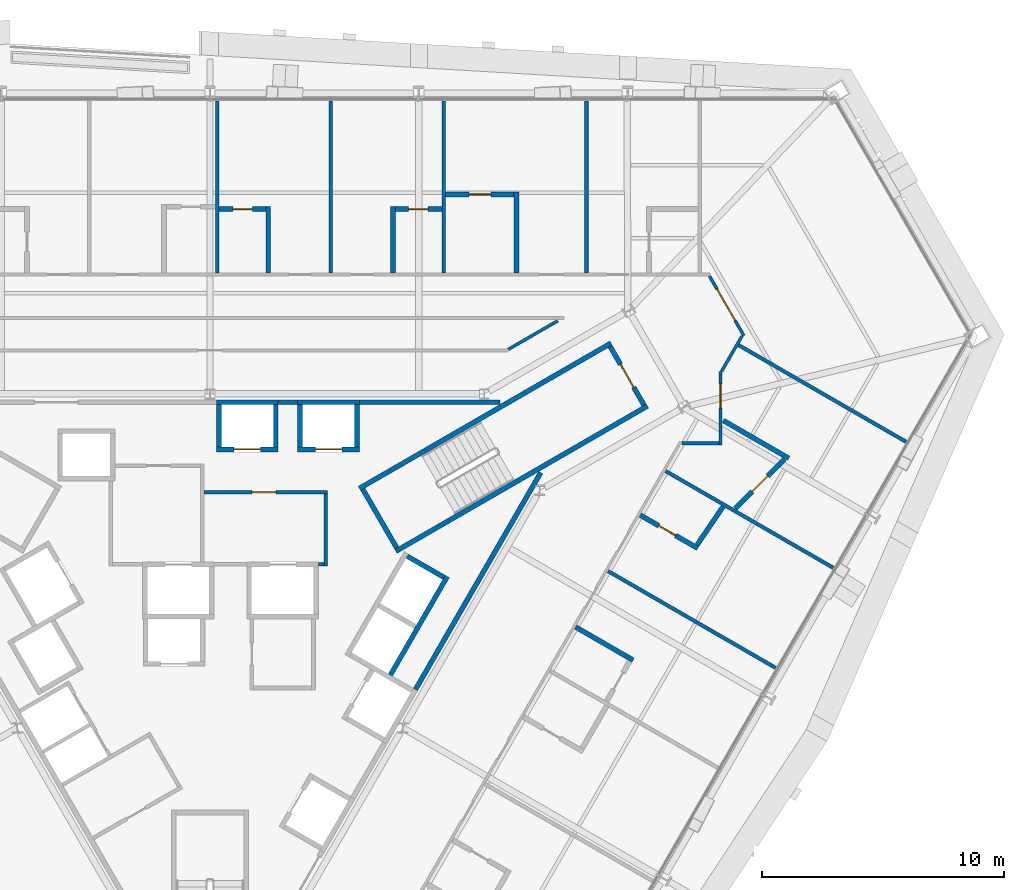
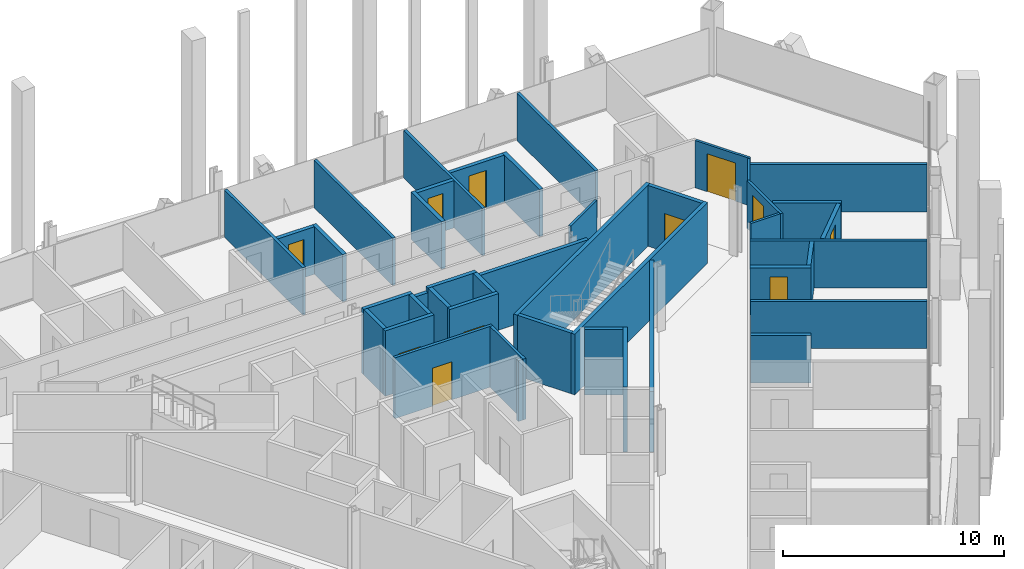
# One storey, part 15 of 19: 43 walls, 11 doors, 11 openings.
"""IFC4 building model written with IfcOpenShell, lengths in metres."""

from ifc_helpers import new_model, si_unit, direction, frame, frame_2d, origin, place, context, subcontext, project, spatial, rectangle, extrude, material, layer, layer_set, type_object, element, fill, save


model = new_model("IFC4")

# Units and contexts
model_context = context("Model", 3, precision=1e-05, world=origin(), true_north=direction((0.0, 1.0)))
body_context = subcontext(model_context, "Body", "Model", "MODEL_VIEW")
ifc_project = project(units=[si_unit("LENGTHUNIT", "METRE"), si_unit("AREAUNIT", "SQUARE_METRE"), si_unit("VOLUMEUNIT", "CUBIC_METRE"), si_unit("PLANEANGLEUNIT", "RADIAN"), si_unit("MASSUNIT", "GRAM", prefix="KILO")], contexts=[model_context])

# Site, building, storey
site_placement = place(None, origin())
site = spatial("IfcSite", under=ifc_project, at=site_placement, CompositionType="ELEMENT")
building_placement = place(site_placement, origin())
building = spatial("IfcBuilding", under=site, at=building_placement, Name="Verrane Prism Tower", CompositionType="ELEMENT")
storey_placement = place(building_placement, frame((0.0, 0.0, 76.39990234375)))
storey = spatial("IfcBuildingStorey", under=building, at=storey_placement, Name="L17", CompositionType="ELEMENT", Elevation=76.39990234375)

# Walls
ifc_material_1 = material(Name="Gypsum board partition", Category="other")
ifc_layer_1 = layer(ifc_material_1, 0.199951171875)
ifc_layer_set_1 = layer_set([ifc_layer_1], Name="CW-200 core boundary wall 2 h")
wall_type_1 = type_object("IfcWallType", Name="CW-200 core boundary wall 2 h", PredefinedType="PARTITIONING", material=ifc_layer_set_1)
wall_1_placement = place(storey_placement, frame((2.81689453125, 8.860107421875, 0.0), z_axis=(0.0, 0.0, 1.0), x_axis=(1.0, 0.0, 0.0)))
element("IfcWall", 1, at=wall_1_placement, inside=storey, type_object=wall_type_1, Name="Core boundary wall CW3-004", PredefinedType="PARTITIONING", context=body_context, shape_type="SweptSolid", body=[
    extrude(rectangle(XDim=0.80615234375, YDim=0.199951171875, at=frame_2d((0.403076171875, 0.0))), origin(), (0.0, 0.0, 1.0), 3.35009765625),
])
wall_2_placement = place(storey_placement, frame((6.177001953125, 8.860107421875, 0.0), z_axis=(0.0, 0.0, 1.0), x_axis=(1.0, 0.0, 0.0)))
element("IfcWall", 2, at=wall_2_placement, inside=storey, type_object=wall_type_1, Name="Core boundary wall CW3-006", PredefinedType="PARTITIONING", context=body_context, shape_type="SweptSolid", body=[
    extrude(rectangle(XDim=5.81396484375, YDim=0.199951171875, at=frame_2d((2.906982421875, 0.0))), origin(), (0.0, 0.0, 1.0), 3.35009765625),
])
wall_3_placement = place(storey_placement, frame((8.491943359375, -3.011962890625, 0.0), z_axis=(0.0, 0.0, 1.0), x_axis=(0.499972957231, 0.866041016371, 0.0)))
element("IfcWall", 3, at=wall_3_placement, inside=storey, type_object=wall_type_1, Name="Core boundary wall CW3-007", PredefinedType="PARTITIONING", context=body_context, shape_type="SweptSolid", body=[
    extrude(rectangle(XDim=10.3486328125, YDim=0.199951171875, at=frame_2d((5.17431640625, 0.0))), origin(), (0.0, 0.0, 1.0), 3.35009765625),
])

# Wall, opening, door
ifc_material_2 = material(Name="Concrete C40/50", Category="concrete")
ifc_layer_2 = layer(ifc_material_2, 0.199951171875)
ifc_layer_set_2 = layer_set([ifc_layer_2], Name="CW-200 stair core wall concrete C40/50 3 h")
wall_type_2 = type_object("IfcWallType", Name="CW-200 stair core wall concrete C40/50 3 h", PredefinedType="PARTITIONING", material=ifc_layer_set_2)
wall_4_placement = place(storey_placement, frame((17.933837890625, 8.737548828125, 0.0), z_axis=(0.0, 0.0, 1.0), x_axis=(-0.49998411664, 0.866034573852, 0.0)))
wall_4 = element("IfcWall", 4, at=wall_4_placement, inside=storey, type_object=wall_type_2, Name="Stair 1 enclosure wall", PredefinedType="PARTITIONING", context=body_context, shape_type="SweptSolid", body=[
    extrude(rectangle(XDim=2.7998046875, YDim=0.199951171875, at=frame_2d((1.39990234375, 0.0))), origin(), (0.0, 0.0, 1.0), 3.35009765625),
])
opening_1_placement = place(wall_4_placement, frame((0.849853515625, 0.0, 0.0)))
opening_1 = element("IfcOpeningElement", 5, at=opening_1_placement, cuts=wall_4, Name="Opening D17500", PredefinedType="OPENING", context=body_context, shape_type="SweptSolid", body=[
    extrude(rectangle(XDim=1.10009765625, YDim=2.10009765625, at=frame_2d((0.550048828125, 1.050048828125))), frame((0.0, 0.10986328125, 0.0), z_axis=(0.0, -1.0, 0.0), x_axis=(1.0, 0.0, 0.0)), (0.0, 0.0, 1.0), 0.219970703125),
])
ifc_material_3 = material(Name="Timber veneered door leaf", Category="wood")
door_type_1 = type_object("IfcDoorType", Name="DR-1100x2100 FD90 single leaf stair", OperationType="NOTDEFINED", PredefinedType="DOOR", material=ifc_material_3)
door_1_placement = place(opening_1_placement, origin())
door_1 = element("IfcDoor", 6, at=door_1_placement, inside=storey, type_object=door_type_1, Name="Stair 1 door", OperationType="SINGLE_SWING_LEFT", OverallHeight=2.10009765625, OverallWidth=1.10009765625, PredefinedType="DOOR", context=body_context, shape_type="SweptSolid", body=[
    extrude(rectangle(XDim=1.10009765625, YDim=2.10009765625, at=frame_2d((0.550048828125, 1.050048828125))), frame((0.0, 0.02490234375, 0.0), z_axis=(0.0, -1.0, 0.0), x_axis=(1.0, 0.0, 0.0)), (0.0, 0.0, 1.0), 0.050048828125),
])
fill(opening_1, door_1)

# Walls
for number, where, z_axis, x_axis, name in (
    (7, (6.17822265625, 5.299072265625, 0.0), (0.0, 0.0, 1.0), (0.866026010844, 0.49999894854, 0.0), "Stair 1 enclosure wall"),
    (8, (7.67822265625, 2.700927734375, 0.0), (0.0, 0.0, 1.0), (0.866026010844, 0.49999894854, 0.0), "Stair 1 enclosure wall"),
):
    element("IfcWall", number, at=place(storey_placement, frame(where, z_axis=z_axis, x_axis=x_axis)), inside=storey, type_object=wall_type_2, Name=name, PredefinedType="PARTITIONING", context=body_context, shape_type="SweptSolid", body=[
        extrude(rectangle(XDim=12.0, YDim=0.199951171875, at=frame_2d((6.0, 0.0))), origin(), (0.0, 0.0, 1.0), 3.35009765625),
    ])
wall_5_placement = place(storey_placement, frame((7.71484375, 2.837646484375, 0.0), z_axis=(0.0, 0.0, 1.0), x_axis=(-0.500049511043, 0.865996816683, 0.0)))
element("IfcWall", 9, at=wall_5_placement, inside=storey, type_object=wall_type_2, Name="Stair 1 enclosure wall", PredefinedType="PARTITIONING", context=body_context, shape_type="SweptSolid", body=[
    extrude(rectangle(XDim=2.800048828125, YDim=0.199951171875, at=frame_2d((1.39990234375, 0.0))), origin(), (0.0, 0.0, 1.0), 3.35009765625),
])

# Wall, opening, door
ifc_material_4 = material(Name="Gypsum board shaft wall assembly", Category="other")
ifc_layer_3 = layer(ifc_material_4, 0.199951171875)
ifc_layer_set_3 = layer_set([ifc_layer_3], Name="HW-200 lift shaft wall 2 h")
wall_type_3 = type_object("IfcWallType", Name="HW-200 lift shaft wall 2 h", PredefinedType="PARTITIONING", material=ifc_layer_set_3)
wall_6_placement = place(storey_placement, frame((0.264892578125, 6.909912109375, 0.0), z_axis=(0.0, 0.0, 1.0), x_axis=(1.0, 0.0, 0.0)))
wall_6 = element("IfcWall", 10, at=wall_6_placement, inside=storey, type_object=wall_type_3, Name="Lift shaft wall", PredefinedType="PARTITIONING", context=body_context, shape_type="SweptSolid", body=[
    extrude(rectangle(XDim=2.550048828125, YDim=0.199951171875, at=frame_2d((1.27490234375, 0.0))), origin(), (0.0, 0.0, 1.0), 3.60009765625),
])
opening_2_placement = place(wall_6_placement, frame((0.72509765625, 0.0, 0.0)))
opening_2 = element("IfcOpeningElement", 11, at=opening_2_placement, cuts=wall_6, Name="Opening D17503", PredefinedType="OPENING", context=body_context, shape_type="SweptSolid", body=[
    extrude(rectangle(XDim=1.10009765625, YDim=2.10009765625, at=frame_2d((0.550048828125, 1.050048828125))), frame((0.0, 0.10986328125, 0.0), z_axis=(0.0, -1.0, 0.0), x_axis=(1.0, 0.0, 0.0)), (0.0, 0.0, 1.0), 0.219970703125),
])
ifc_material_5 = material(Name="Stainless steel sliding landing door", Category="steel")
door_type_2 = type_object("IfcDoorType", Name="LD-1100x2100 lift landing door FD90 sliding", OperationType="NOTDEFINED", PredefinedType="DOOR", material=ifc_material_5)
door_2_placement = place(opening_2_placement, origin())
door_2 = element("IfcDoor", 12, at=door_2_placement, inside=storey, type_object=door_type_2, Name="Bank A lift 1 landing door", OperationType="SLIDING_TO_LEFT", OverallHeight=2.10009765625, OverallWidth=1.10009765625, PredefinedType="DOOR", context=body_context, shape_type="SweptSolid", body=[
    extrude(rectangle(XDim=1.10009765625, YDim=2.10009765625, at=frame_2d((0.550048828125, 1.050048828125))), frame((0.0, 0.02490234375, 0.0), z_axis=(0.0, -1.0, 0.0), x_axis=(1.0, 0.0, 0.0)), (0.0, 0.0, 1.0), 0.050048828125),
])
fill(opening_2, door_2)

wall_7_placement = place(storey_placement, frame((3.625, 6.909912109375, 0.0), z_axis=(0.0, 0.0, 1.0), x_axis=(1.0, 0.0, 0.0)))
wall_7 = element("IfcWall", 13, at=wall_7_placement, inside=storey, type_object=wall_type_3, Name="Lift shaft wall", PredefinedType="PARTITIONING", context=body_context, shape_type="SweptSolid", body=[
    extrude(rectangle(XDim=2.550048828125, YDim=0.199951171875, at=frame_2d((1.27490234375, 0.0))), origin(), (0.0, 0.0, 1.0), 3.60009765625),
])
opening_3_placement = place(wall_7_placement, frame((0.72509765625, 0.0, 0.0)))
opening_3 = element("IfcOpeningElement", 14, at=opening_3_placement, cuts=wall_7, Name="Opening D17505", PredefinedType="OPENING", context=body_context, shape_type="SweptSolid", body=[
    extrude(rectangle(XDim=1.10009765625, YDim=2.10009765625, at=frame_2d((0.550048828125, 1.050048828125))), frame((0.0, 0.10986328125, 0.0), z_axis=(0.0, -1.0, 0.0), x_axis=(1.0, 0.0, 0.0)), (0.0, 0.0, 1.0), 0.219970703125),
])
door_3_placement = place(opening_3_placement, origin())
door_3 = element("IfcDoor", 15, at=door_3_placement, inside=storey, type_object=door_type_2, Name="Bank A lift 3 landing door", OperationType="SLIDING_TO_LEFT", OverallHeight=2.10009765625, OverallWidth=1.10009765625, PredefinedType="DOOR", context=body_context, shape_type="SweptSolid", body=[
    extrude(rectangle(XDim=1.10009765625, YDim=2.10009765625, at=frame_2d((0.550048828125, 1.050048828125))), frame((0.0, 0.02490234375, 0.0), z_axis=(0.0, -1.0, 0.0), x_axis=(1.0, 0.0, 0.0)), (0.0, 0.0, 1.0), 0.050048828125),
])
fill(opening_3, door_3)

# Walls
for number, where, z_axis, x_axis, name in (
    (16, (0.264892578125, 8.860107421875, 0.0), (0.0, 0.0, 1.0), (1.0, 0.0, 0.0), "Lift shaft wall"),
    (17, (3.625, 8.860107421875, 0.0), (0.0, 0.0, 1.0), (1.0, 0.0, 0.0), "Lift shaft wall"),
):
    element("IfcWall", number, at=place(storey_placement, frame(where, z_axis=z_axis, x_axis=x_axis)), inside=storey, type_object=wall_type_3, Name=name, PredefinedType="PARTITIONING", context=body_context, shape_type="SweptSolid", body=[
        extrude(rectangle(XDim=2.550048828125, YDim=0.199951171875, at=frame_2d((1.27490234375, 0.0))), origin(), (0.0, 0.0, 1.0), 3.60009765625),
    ])
wall_8_placement = place(storey_placement, frame((7.451171875, -2.4140625, 0.0), z_axis=(0.0, 0.0, 1.0), x_axis=(0.500016218704, 0.866016039709, 0.0)))
element("IfcWall", 18, at=wall_8_placement, inside=storey, type_object=wall_type_3, Name="Lift shaft wall", PredefinedType="PARTITIONING", context=body_context, shape_type="SweptSolid", body=[
    extrude(rectangle(XDim=4.699951171875, YDim=0.199951171875, at=frame_2d((2.35009765625, 0.0))), origin(), (0.0, 0.0, 1.0), 3.60009765625),
])
for number, where, z_axis, x_axis, name in (
    (19, (6.074951171875, 7.010009765625, 0.0), (0.0, 0.0, 1.0), (0.0, 1.0, 0.0), "Lift shaft wall"),
    (20, (3.72509765625, 7.010009765625, 0.0), (0.0, 0.0, 1.0), (0.0, 1.0, 0.0), "Lift shaft wall"),
    (21, (2.715087890625, 7.010009765625, 0.0), (0.0, 0.0, 1.0), (0.0, 1.0, 0.0), "Lift shaft wall"),
    (22, (0.364990234375, 7.010009765625, 0.0), (0.0, 0.0, 1.0), (0.0, 1.0, 0.0), "Lift shaft wall"),
):
    element("IfcWall", number, at=place(storey_placement, frame(where, z_axis=z_axis, x_axis=x_axis)), inside=storey, type_object=wall_type_3, Name=name, PredefinedType="PARTITIONING", context=body_context, shape_type="SweptSolid", body=[
        extrude(rectangle(XDim=1.75, YDim=0.199951171875, at=frame_2d((0.875, 0.0))), origin(), (0.0, 0.0, 1.0), 3.60009765625),
    ])
wall_9_placement = place(storey_placement, frame((9.66455078125, 1.61962890625, 0.0), z_axis=(0.0, 0.0, 1.0), x_axis=(-0.866002029911, 0.500040482552, 0.0)))
element("IfcWall", 23, at=wall_9_placement, inside=storey, type_object=wall_type_3, Name="Lift shaft wall", PredefinedType="PARTITIONING", context=body_context, shape_type="SweptSolid", body=[
    extrude(rectangle(XDim=1.749755859375, YDim=0.199951171875, at=frame_2d((0.875, 0.0))), origin(), (0.0, 0.0, 1.0), 3.60009765625),
])

# Wall, opening, door
ifc_material_6 = material(Name="Gypsum board partition", Category="other")
ifc_layer_4 = layer(ifc_material_6, 0.14990234375)
ifc_layer_set_4 = layer_set([ifc_layer_4], Name="LF-150 firefighting lobby wall 1 h")
wall_type_4 = type_object("IfcWallType", Name="LF-150 firefighting lobby wall 1 h", PredefinedType="PARTITIONING", material=ifc_layer_set_4)
wall_10_placement = place(storey_placement, frame((-0.2451171875, 5.139892578125, 0.0), z_axis=(0.0, 0.0, 1.0), x_axis=(1.0, 0.0, 0.0)))
wall_10 = element("IfcWall", 24, at=wall_10_placement, inside=storey, type_object=wall_type_4, Name="Firefighting lobby wall LF1-005", PredefinedType="PARTITIONING", context=body_context, shape_type="SweptSolid", body=[
    extrude(rectangle(XDim=5.110107421875, YDim=0.14990234375, at=frame_2d((2.55517578125, 0.0))), origin(), (0.0, 0.0, 1.0), 3.35009765625),
])
opening_4_placement = place(wall_10_placement, frame((1.97509765625, 0.0, 0.0)))
opening_4 = element("IfcOpeningElement", 25, at=opening_4_placement, cuts=wall_10, Name="Opening D17516", PredefinedType="OPENING", context=body_context, shape_type="SweptSolid", body=[
    extrude(rectangle(XDim=1.0, YDim=2.10009765625, at=frame_2d((0.5, 1.050048828125))), frame((0.0, 0.0849609375, 0.0), z_axis=(0.0, -1.0, 0.0), x_axis=(1.0, 0.0, 0.0)), (0.0, 0.0, 1.0), 0.169921875),
])
ifc_material_7 = material(Name="Timber veneered door leaf", Category="wood")
door_type_3 = type_object("IfcDoorType", Name="DR-1000x2100 FD60 single leaf firefighting lobby", OperationType="NOTDEFINED", PredefinedType="DOOR", material=ifc_material_7)
door_4_placement = place(opening_4_placement, origin())
door_4 = element("IfcDoor", 26, at=door_4_placement, inside=storey, type_object=door_type_3, Name="Firefighting lobby door D17516", OperationType="SINGLE_SWING_RIGHT", OverallHeight=2.10009765625, OverallWidth=1.0, PredefinedType="DOOR", context=body_context, shape_type="SweptSolid", body=[
    extrude(rectangle(XDim=1.0, YDim=2.10009765625, at=frame_2d((0.5, 1.050048828125))), frame((0.0, 0.02490234375, 0.0), z_axis=(0.0, -1.0, 0.0), x_axis=(1.0, 0.0, 0.0)), (0.0, 0.0, 1.0), 0.050048828125),
])
fill(opening_4, door_4)

# Walls
wall_11_placement = place(storey_placement, frame((4.47705078125, 2.159912109375, 0.0), z_axis=(0.0, 0.0, 1.0), x_axis=(1.0, 0.0, 0.0)))
element("IfcWall", 27, at=wall_11_placement, inside=storey, type_object=wall_type_4, Name="Firefighting lobby wall LF1-007", PredefinedType="PARTITIONING", context=body_context, shape_type="SweptSolid", body=[
    extrude(rectangle(XDim=0.238037109375, YDim=0.14990234375, at=frame_2d((0.119140625, 0.0))), origin(), (0.0, 0.0, 1.0), 3.35009765625),
])
wall_12_placement = place(storey_placement, frame((4.7900390625, 2.0849609375, 0.0), z_axis=(0.0, 0.0, 1.0), x_axis=(0.0, 1.0, 0.0)))
element("IfcWall", 28, at=wall_12_placement, inside=storey, type_object=wall_type_4, Name="Firefighting lobby wall LF1-008", PredefinedType="PARTITIONING", context=body_context, shape_type="SweptSolid", body=[
    extrude(rectangle(XDim=2.97998046875, YDim=0.14990234375, at=frame_2d((1.489990234375, 0.0))), origin(), (0.0, 0.0, 1.0), 3.35009765625),
])
ifc_material_8 = material(Name="Gypsum board partition", Category="other")
ifc_layer_5 = layer(ifc_material_8, 0.125)
ifc_layer_set_5 = layer_set([ifc_layer_5], Name="PW-125 corridor wall 1 h")
wall_type_5 = type_object("IfcWallType", Name="PW-125 corridor wall 1 h", PredefinedType="PARTITIONING", material=ifc_layer_set_5)
wall_13_placement = place(storey_placement, frame((12.32666015625, 11.04248046875, 0.0), z_axis=(0.0, 0.0, 1.0), x_axis=(0.866063239147, 0.499934461503, 0.0)))
element("IfcWall", 29, at=wall_13_placement, inside=storey, type_object=wall_type_5, Name="Corridor wall 072", PredefinedType="PARTITIONING", context=body_context, shape_type="SweptSolid", body=[
    extrude(rectangle(XDim=2.359130859375, YDim=0.125, at=frame_2d((1.1796875, 0.0))), origin(), (0.0, 0.0, 1.0), 2.613037109375),
])
wall_14_placement = place(storey_placement, frame((19.510009765625, 7.1630859375, 0.0), z_axis=(0.0, 0.0, 1.0), x_axis=(1.0, 0.0, 0.0)))
element("IfcWall", 30, at=wall_14_placement, inside=storey, type_object=wall_type_5, Name="Corridor wall 085", PredefinedType="PARTITIONING", context=body_context, shape_type="SweptSolid", body=[
    extrude(rectangle(XDim=1.52197265625, YDim=0.125, at=frame_2d((0.760986328125, 0.0))), origin(), (0.0, 0.0, 1.0), 2.613037109375),
])

# Wall, opening, door
wall_15_placement = place(storey_placement, frame((20.642578125, 14.0634765625, 0.0), z_axis=(0.0, 0.0, 1.0), x_axis=(0.499647745683, -0.866228682412, 0.0)))
wall_15 = element("IfcWall", 31, at=wall_15_placement, inside=storey, type_object=wall_type_5, Name="Corridor wall 088", PredefinedType="PARTITIONING", context=body_context, shape_type="SweptSolid", body=[
    extrude(rectangle(XDim=2.8291015625, YDim=0.125, at=frame_2d((1.41455078125, 0.0))), origin(), (0.0, 0.0, 1.0), 2.613037109375),
])
opening_5_placement = place(wall_15_placement, frame((0.614990234375, 0.0, 0.0)))
opening_5 = element("IfcOpeningElement", 32, at=opening_5_placement, cuts=wall_15, Name="Opening D17017", PredefinedType="OPENING", context=body_context, shape_type="SweptSolid", body=[
    extrude(rectangle(XDim=1.5, YDim=2.10009765625, at=frame_2d((0.75, 1.050048828125))), frame((0.0, 0.072509765625, 0.0), z_axis=(0.0, -1.0, 0.0), x_axis=(1.0, 0.0, 0.0)), (0.0, 0.0, 1.0), 0.14501953125),
])
ifc_material_9 = material(Name="Timber veneered door leaf", Category="wood")
door_type_4 = type_object("IfcDoorType", Name="DR-1500x2100 FD20 double leaf public", OperationType="NOTDEFINED", PredefinedType="DOOR", material=ifc_material_9)
door_5_placement = place(opening_5_placement, origin())
door_5 = element("IfcDoor", 33, at=door_5_placement, inside=storey, type_object=door_type_4, Name="Executive Lounge door", OperationType="DOUBLE_DOOR_SINGLE_SWING", OverallHeight=2.10009765625, OverallWidth=1.5, PredefinedType="DOOR", context=body_context, shape_type="SweptSolid", body=[
    extrude(rectangle(XDim=1.5, YDim=2.10009765625, at=frame_2d((0.75, 1.050048828125))), frame((0.0, 0.02490234375, 0.0), z_axis=(0.0, -1.0, 0.0), x_axis=(1.0, 0.0, 0.0)), (0.0, 0.0, 1.0), 0.050048828125),
])
fill(opening_5, door_5)

wall_16_placement = place(storey_placement, frame((21.096923828125, 10.12255859375, 0.0), z_axis=(0.0, 0.0, 1.0), x_axis=(0.0, -1.0, 0.0)))
wall_16 = element("IfcWall", 34, at=wall_16_placement, inside=storey, type_object=wall_type_5, Name="Corridor wall 089", PredefinedType="PARTITIONING", context=body_context, shape_type="SweptSolid", body=[
    extrude(rectangle(XDim=3.02197265625, YDim=0.125, at=frame_2d((1.510986328125, 0.0))), origin(), (0.0, 0.0, 1.0), 2.613037109375),
])
opening_6_placement = place(wall_16_placement, frame((0.505615234375, 0.0, 0.0)))
opening_6 = element("IfcOpeningElement", 35, at=opening_6_placement, cuts=wall_16, Name="Opening D17015", PredefinedType="OPENING", context=body_context, shape_type="SweptSolid", body=[
    extrude(rectangle(XDim=1.0, YDim=2.10009765625, at=frame_2d((0.5, 1.050048828125))), frame((0.0, 0.072509765625, 0.0), z_axis=(0.0, -1.0, 0.0), x_axis=(1.0, 0.0, 0.0)), (0.0, 0.0, 1.0), 0.14501953125),
])
ifc_material_10 = material(Name="Timber veneered door leaf", Category="wood")
door_type_5 = type_object("IfcDoorType", Name="DR-1000x2100 FD20 single leaf unit", OperationType="NOTDEFINED", PredefinedType="DOOR", material=ifc_material_10)
door_6_placement = place(opening_6_placement, origin())
door_6 = element("IfcDoor", 36, at=door_6_placement, inside=storey, type_object=door_type_5, Name="Accessible Guest Room door", OperationType="SINGLE_SWING_RIGHT", OverallHeight=2.10009765625, OverallWidth=1.0, PredefinedType="DOOR", context=body_context, shape_type="SweptSolid", body=[
    extrude(rectangle(XDim=1.0, YDim=2.10009765625, at=frame_2d((0.5, 1.050048828125))), frame((0.0, 0.02490234375, 0.0), z_axis=(0.0, -1.0, 0.0), x_axis=(1.0, 0.0, 0.0)), (0.0, 0.0, 1.0), 0.050048828125),
])
fill(opening_6, door_6)

# Walls
wall_17_placement = place(storey_placement, frame((21.139404296875, 10.133544921875, 0.0), z_axis=(0.0, 0.0, 1.0), x_axis=(0.500048373822, 0.865997473344, 0.0)))
element("IfcWall", 37, at=wall_17_placement, inside=storey, type_object=wall_type_5, Name="Corridor wall 091", PredefinedType="PARTITIONING", context=body_context, shape_type="SweptSolid", body=[
    extrude(rectangle(XDim=1.685791015625, YDim=0.125, at=frame_2d((0.8427734375, 0.0))), origin(), (0.0, 0.0, 1.0), 2.613037109375),
])
ifc_material_11 = material(Name="Gypsum board partition", Category="other")
ifc_layer_6 = layer(ifc_material_11, 0.14990234375)
ifc_layer_set_6 = layer_set([ifc_layer_6], Name="PW-150 demising wall 1 h")
wall_type_6 = type_object("IfcWallType", Name="PW-150 demising wall 1 h", PredefinedType="PARTITIONING", material=ifc_layer_set_6)
for number, where, z_axis, x_axis, name in (
    (38, (0.304931640625, 14.199462890625, 0.0), (0.0, 0.0, 1.0), (0.0, 1.0, 0.0), "Demising wall 047"),
    (39, (4.98291015625, 14.199462890625, 0.0), (0.0, 0.0, 1.0), (0.0, 1.0, 0.0), "Demising wall 057"),
    (40, (9.659912109375, 14.199462890625, 0.0), (0.0, 0.0, 1.0), (0.0, 1.0, 0.0), "Demising wall 066"),
    (41, (15.55810546875, 14.199462890625, 0.0), (0.0, 0.0, 1.0), (0.0, 1.0, 0.0), "Demising wall 078"),
):
    element("IfcWall", number, at=place(storey_placement, frame(where, z_axis=z_axis, x_axis=x_axis)), inside=storey, type_object=wall_type_6, Name=name, PredefinedType="PARTITIONING", context=body_context, shape_type="SweptSolid", body=[
        extrude(rectangle(XDim=7.095458984375, YDim=0.14990234375, at=frame_2d((3.5478515625, 0.0))), origin(), (0.0, 0.0, 1.0), 2.613037109375),
    ])
wall_18_placement = place(storey_placement, frame((16.450439453125, 1.877197265625, 0.0), z_axis=(0.0, 0.0, 1.0), x_axis=(0.866052736899, -0.499952654668, 0.0)))
element("IfcWall", 42, at=wall_18_placement, inside=storey, type_object=wall_type_6, Name="Demising wall 080", PredefinedType="PARTITIONING", context=body_context, shape_type="SweptSolid", body=[
    extrude(rectangle(XDim=7.987060546875, YDim=0.14990234375, at=frame_2d((3.99365234375, 0.0))), origin(), (0.0, 0.0, 1.0), 2.613037109375),
])
wall_19_placement = place(storey_placement, frame((18.83203125, 6.0107421875, 0.0), z_axis=(0.0, 0.0, 1.0), x_axis=(0.866027362729, -0.499996606993, 0.0)))
element("IfcWall", 43, at=wall_19_placement, inside=storey, type_object=wall_type_6, Name="Demising wall 084", PredefinedType="PARTITIONING", context=body_context, shape_type="SweptSolid", body=[
    extrude(rectangle(XDim=7.9912109375, YDim=0.14990234375, at=frame_2d((3.99560546875, 0.0))), origin(), (0.0, 0.0, 1.0), 2.613037109375),
])
wall_20_placement = place(storey_placement, frame((21.839111328125, 11.21875, 0.0), z_axis=(0.0, 0.0, 1.0), x_axis=(0.866019724796, -0.500009836168, 0.0)))
element("IfcWall", 44, at=wall_20_placement, inside=storey, type_object=wall_type_6, Name="Demising wall 093", PredefinedType="PARTITIONING", context=body_context, shape_type="SweptSolid", body=[
    extrude(rectangle(XDim=7.990966796875, YDim=0.14990234375, at=frame_2d((3.99560546875, 0.0))), origin(), (0.0, 0.0, 1.0), 2.613037109375),
])

# Wall, opening, door
ifc_material_12 = material(Name="Gypsum board partition", Category="other")
ifc_layer_7 = layer(ifc_material_12, 0.199951171875)
ifc_layer_set_7 = layer_set([ifc_layer_7], Name="PW-200 plumbing wall")
wall_type_7 = type_object("IfcWallType", Name="PW-200 plumbing wall", PredefinedType="PARTITIONING", material=ifc_layer_set_7)
wall_21_placement = place(storey_placement, frame((2.304931640625, 16.8369140625, 0.0), z_axis=(0.0, 0.0, 1.0), x_axis=(-1.0, 0.0, 0.0)))
wall_21 = element("IfcWall", 45, at=wall_21_placement, inside=storey, type_object=wall_type_7, Name="Plumbing wall 048", PredefinedType="PARTITIONING", context=body_context, shape_type="SweptSolid", body=[
    extrude(rectangle(XDim=1.925048828125, YDim=0.199951171875, at=frame_2d((0.96240234375, 0.0))), origin(), (0.0, 0.0, 1.0), 2.613037109375),
])
opening_7_placement = place(wall_21_placement, frame((0.550048828125, 0.0, 0.0)))
opening_7 = element("IfcOpeningElement", 46, at=opening_7_placement, cuts=wall_21, Name="Opening D17025", PredefinedType="OPENING", context=body_context, shape_type="SweptSolid", body=[
    extrude(rectangle(XDim=0.800048828125, YDim=2.10009765625, at=frame_2d((0.39990234375, 1.050048828125))), frame((0.0, 0.10986328125, 0.0), z_axis=(0.0, -1.0, 0.0), x_axis=(1.0, 0.0, 0.0)), (0.0, 0.0, 1.0), 0.219970703125),
])
ifc_material_13 = material(Name="Timber veneered door leaf", Category="wood")
door_type_6 = type_object("IfcDoorType", Name="DR-800x2100 single leaf bath", OperationType="NOTDEFINED", PredefinedType="DOOR", material=ifc_material_13)
door_7_placement = place(opening_7_placement, origin())
door_7 = element("IfcDoor", 47, at=door_7_placement, inside=storey, type_object=door_type_6, Name="En-Suite door", OperationType="SINGLE_SWING_RIGHT", OverallHeight=2.10009765625, OverallWidth=0.800048828125, PredefinedType="DOOR", context=body_context, shape_type="SweptSolid", body=[
    extrude(rectangle(XDim=0.800048828125, YDim=2.10009765625, at=frame_2d((0.39990234375, 1.050048828125))), frame((0.0, 0.02490234375, 0.0), z_axis=(0.0, -1.0, 0.0), x_axis=(1.0, 0.0, 0.0)), (0.0, 0.0, 1.0), 0.050048828125),
])
fill(opening_7, door_7)

# Walls
for number, where, z_axis, x_axis, name in (
    (48, (2.405029296875, 14.199462890625, 0.0), (0.0, 0.0, 1.0), (0.0, 1.0, 0.0), "Plumbing wall 052"),
    (49, (7.56005859375, 14.199462890625, 0.0), (0.0, 0.0, 1.0), (0.0, 1.0, 0.0), "Plumbing wall 062"),
):
    element("IfcWall", number, at=place(storey_placement, frame(where, z_axis=z_axis, x_axis=x_axis)), inside=storey, type_object=wall_type_7, Name=name, PredefinedType="PARTITIONING", context=body_context, shape_type="SweptSolid", body=[
        extrude(rectangle(XDim=2.737548828125, YDim=0.199951171875, at=frame_2d((1.36865234375, 0.0))), origin(), (0.0, 0.0, 1.0), 2.613037109375),
    ])

# Wall, opening, door
wall_22_placement = place(storey_placement, frame((9.5849609375, 16.8369140625, 0.0), z_axis=(0.0, 0.0, 1.0), x_axis=(-1.0, 0.0, 0.0)))
wall_22 = element("IfcWall", 50, at=wall_22_placement, inside=storey, type_object=wall_type_7, Name="Plumbing wall 063", PredefinedType="PARTITIONING", context=body_context, shape_type="SweptSolid", body=[
    extrude(rectangle(XDim=1.925048828125, YDim=0.199951171875, at=frame_2d((0.96240234375, 0.0))), origin(), (0.0, 0.0, 1.0), 2.613037109375),
])
opening_8_placement = place(wall_22_placement, frame((0.574951171875, 0.0, 0.0)))
opening_8 = element("IfcOpeningElement", 51, at=opening_8_placement, cuts=wall_22, Name="Opening D17023", PredefinedType="OPENING", context=body_context, shape_type="SweptSolid", body=[
    extrude(rectangle(XDim=0.800048828125, YDim=2.10009765625, at=frame_2d((0.39990234375, 1.050048828125))), frame((0.0, 0.10986328125, 0.0), z_axis=(0.0, -1.0, 0.0), x_axis=(1.0, 0.0, 0.0)), (0.0, 0.0, 1.0), 0.219970703125),
])
door_8_placement = place(opening_8_placement, origin())
door_8 = element("IfcDoor", 52, at=door_8_placement, inside=storey, type_object=door_type_6, Name="En-Suite door", OperationType="SINGLE_SWING_RIGHT", OverallHeight=2.10009765625, OverallWidth=0.800048828125, PredefinedType="DOOR", context=body_context, shape_type="SweptSolid", body=[
    extrude(rectangle(XDim=0.800048828125, YDim=2.10009765625, at=frame_2d((0.39990234375, 1.050048828125))), frame((0.0, 0.02490234375, 0.0), z_axis=(0.0, -1.0, 0.0), x_axis=(1.0, 0.0, 0.0)), (0.0, 0.0, 1.0), 0.050048828125),
])
fill(opening_8, door_8)

wall_23_placement = place(storey_placement, frame((12.56005859375, 17.43701171875, 0.0), z_axis=(0.0, 0.0, 1.0), x_axis=(-1.0, 0.0, 0.0)))
wall_23 = element("IfcWall", 53, at=wall_23_placement, inside=storey, type_object=wall_type_7, Name="Plumbing wall 067", PredefinedType="PARTITIONING", context=body_context, shape_type="SweptSolid", body=[
    extrude(rectangle(XDim=2.824951171875, YDim=0.199951171875, at=frame_2d((1.41259765625, 0.0))), origin(), (0.0, 0.0, 1.0), 2.613037109375),
])
opening_9_placement = place(wall_23_placement, frame((0.949951171875, 0.0, 0.0)))
opening_9 = element("IfcOpeningElement", 54, at=opening_9_placement, cuts=wall_23, Name="Opening D17021", PredefinedType="OPENING", context=body_context, shape_type="SweptSolid", body=[
    extrude(rectangle(XDim=0.89990234375, YDim=2.10009765625, at=frame_2d((0.449951171875, 1.050048828125))), frame((0.0, 0.10986328125, 0.0), z_axis=(0.0, -1.0, 0.0), x_axis=(1.0, 0.0, 0.0)), (0.0, 0.0, 1.0), 0.219970703125),
])
ifc_material_14 = material(Name="Timber veneered door leaf", Category="wood")
door_type_7 = type_object("IfcDoorType", Name="DR-900x2100 single leaf bath", OperationType="NOTDEFINED", PredefinedType="DOOR", material=ifc_material_14)
door_9_placement = place(opening_9_placement, origin())
door_9 = element("IfcDoor", 55, at=door_9_placement, inside=storey, type_object=door_type_7, Name="En-Suite door", OperationType="SINGLE_SWING_RIGHT", OverallHeight=2.10009765625, OverallWidth=0.89990234375, PredefinedType="DOOR", context=body_context, shape_type="SweptSolid", body=[
    extrude(rectangle(XDim=0.89990234375, YDim=2.10009765625, at=frame_2d((0.449951171875, 1.050048828125))), frame((0.0, 0.02490234375, 0.0), z_axis=(0.0, -1.0, 0.0), x_axis=(1.0, 0.0, 0.0)), (0.0, 0.0, 1.0), 0.050048828125),
])
fill(opening_9, door_9)

# Walls
wall_24_placement = place(storey_placement, frame((12.659912109375, 14.199462890625, 0.0), z_axis=(0.0, 0.0, 1.0), x_axis=(0.0, 1.0, 0.0)))
element("IfcWall", 56, at=wall_24_placement, inside=storey, type_object=wall_type_7, Name="Plumbing wall 073", PredefinedType="PARTITIONING", context=body_context, shape_type="SweptSolid", body=[
    extrude(rectangle(XDim=3.337646484375, YDim=0.199951171875, at=frame_2d((1.6689453125, 0.0))), origin(), (0.0, 0.0, 1.0), 2.613037109375),
])
wall_25_placement = place(storey_placement, frame((15.115478515625, -0.434814453125, 0.0), z_axis=(0.0, 0.0, 1.0), x_axis=(0.866102295869, -0.499866795347, 0.0)))
element("IfcWall", 57, at=wall_25_placement, inside=storey, type_object=wall_type_7, Name="Plumbing wall 076", PredefinedType="PARTITIONING", context=body_context, shape_type="SweptSolid", body=[
    extrude(rectangle(XDim=2.733154296875, YDim=0.199951171875, at=frame_2d((1.36669921875, 0.0))), origin(), (0.0, 0.0, 1.0), 2.613037109375),
])

# Wall, opening, door
wall_26_placement = place(storey_placement, frame((17.7822265625, 4.191650390625, 0.0), z_axis=(0.0, 0.0, 1.0), x_axis=(0.866005850709, -0.50003386539, 0.0)))
wall_26 = element("IfcWall", 58, at=wall_26_placement, inside=storey, type_object=wall_type_7, Name="Plumbing wall 081", PredefinedType="PARTITIONING", context=body_context, shape_type="SweptSolid", body=[
    extrude(rectangle(XDim=2.737060546875, YDim=0.199951171875, at=frame_2d((1.36865234375, 0.0))), origin(), (0.0, 0.0, 1.0), 2.613037109375),
])
opening_10_placement = place(wall_26_placement, frame((0.887451171875, 0.0, 0.0)))
opening_10 = element("IfcOpeningElement", 59, at=opening_10_placement, cuts=wall_26, Name="Opening D17014", PredefinedType="OPENING", context=body_context, shape_type="SweptSolid", body=[
    extrude(rectangle(XDim=0.800048828125, YDim=2.10009765625, at=frame_2d((0.39990234375, 1.050048828125))), frame((0.0, 0.10986328125, 0.0), z_axis=(0.0, -1.0, 0.0), x_axis=(1.0, 0.0, 0.0)), (0.0, 0.0, 1.0), 0.219970703125),
])
door_10_placement = place(opening_10_placement, origin())
door_10 = element("IfcDoor", 60, at=door_10_placement, inside=storey, type_object=door_type_6, Name="En-Suite door", OperationType="SINGLE_SWING_RIGHT", OverallHeight=2.10009765625, OverallWidth=0.800048828125, PredefinedType="DOOR", context=body_context, shape_type="SweptSolid", body=[
    extrude(rectangle(XDim=0.800048828125, YDim=2.10009765625, at=frame_2d((0.39990234375, 1.050048828125))), frame((0.0, 0.02490234375, 0.0), z_axis=(0.0, -1.0, 0.0), x_axis=(1.0, 0.0, 0.0)), (0.0, 0.0, 1.0), 0.050048828125),
])
fill(opening_10, door_10)

# Walls
wall_27_placement = place(storey_placement, frame((20.127685546875, 2.964111328125, 0.0), z_axis=(0.0, 0.0, 1.0), x_axis=(0.561894569182, 0.827208857015, 0.0)))
element("IfcWall", 61, at=wall_27_placement, inside=storey, type_object=wall_type_7, Name="Plumbing wall 086", PredefinedType="PARTITIONING", context=body_context, shape_type="SweptSolid", body=[
    extrude(rectangle(XDim=1.9130859375, YDim=0.199951171875, at=frame_2d((0.95654296875, 0.0))), origin(), (0.0, 0.0, 1.0), 2.613037109375),
])
wall_28_placement = place(storey_placement, frame((21.20947265625, 8.10205078125, 0.0), z_axis=(0.0, 0.0, 1.0), x_axis=(0.86597196262, -0.50009255139, 0.0)))
element("IfcWall", 62, at=wall_28_placement, inside=storey, type_object=wall_type_7, Name="Plumbing wall 090", PredefinedType="PARTITIONING", context=body_context, shape_type="SweptSolid", body=[
    extrude(rectangle(XDim=3.12158203125, YDim=0.199951171875, at=frame_2d((1.560791015625, 0.0))), origin(), (0.0, 0.0, 1.0), 2.613037109375),
])

# Wall, opening, door
wall_29_placement = place(storey_placement, frame((21.70849609375, 4.4658203125, 0.0), z_axis=(0.0, 0.0, 1.0), x_axis=(0.70578703929, 0.708424064506, 0.0)))
wall_29 = element("IfcWall", 63, at=wall_29_placement, inside=storey, type_object=wall_type_7, Name="Plumbing wall 092", PredefinedType="PARTITIONING", context=body_context, shape_type="SweptSolid", body=[
    extrude(rectangle(XDim=2.8701171875, YDim=0.199951171875, at=frame_2d((1.43505859375, 0.0))), origin(), (0.0, 0.0, 1.0), 2.613037109375),
])
opening_11_placement = place(wall_29_placement, frame((0.995849609375, 0.0, 0.0)))
opening_11 = element("IfcOpeningElement", 64, at=opening_11_placement, cuts=wall_29, Name="Opening D17016", PredefinedType="OPENING", context=body_context, shape_type="SweptSolid", body=[
    extrude(rectangle(XDim=0.89990234375, YDim=2.10009765625, at=frame_2d((0.449951171875, 1.050048828125))), frame((0.0, 0.10986328125, 0.0), z_axis=(0.0, -1.0, 0.0), x_axis=(1.0, 0.0, 0.0)), (0.0, 0.0, 1.0), 0.219970703125),
])
door_11_placement = place(opening_11_placement, origin())
door_11 = element("IfcDoor", 65, at=door_11_placement, inside=storey, type_object=door_type_7, Name="En-Suite door", OperationType="SINGLE_SWING_RIGHT", OverallHeight=2.10009765625, OverallWidth=0.89990234375, PredefinedType="DOOR", context=body_context, shape_type="SweptSolid", body=[
    extrude(rectangle(XDim=0.89990234375, YDim=2.10009765625, at=frame_2d((0.449951171875, 1.050048828125))), frame((0.0, 0.02490234375, 0.0), z_axis=(0.0, -1.0, 0.0), x_axis=(1.0, 0.0, 0.0)), (0.0, 0.0, 1.0), 0.050048828125),
])
fill(opening_11, door_11)

save(model, "model.ifc")
